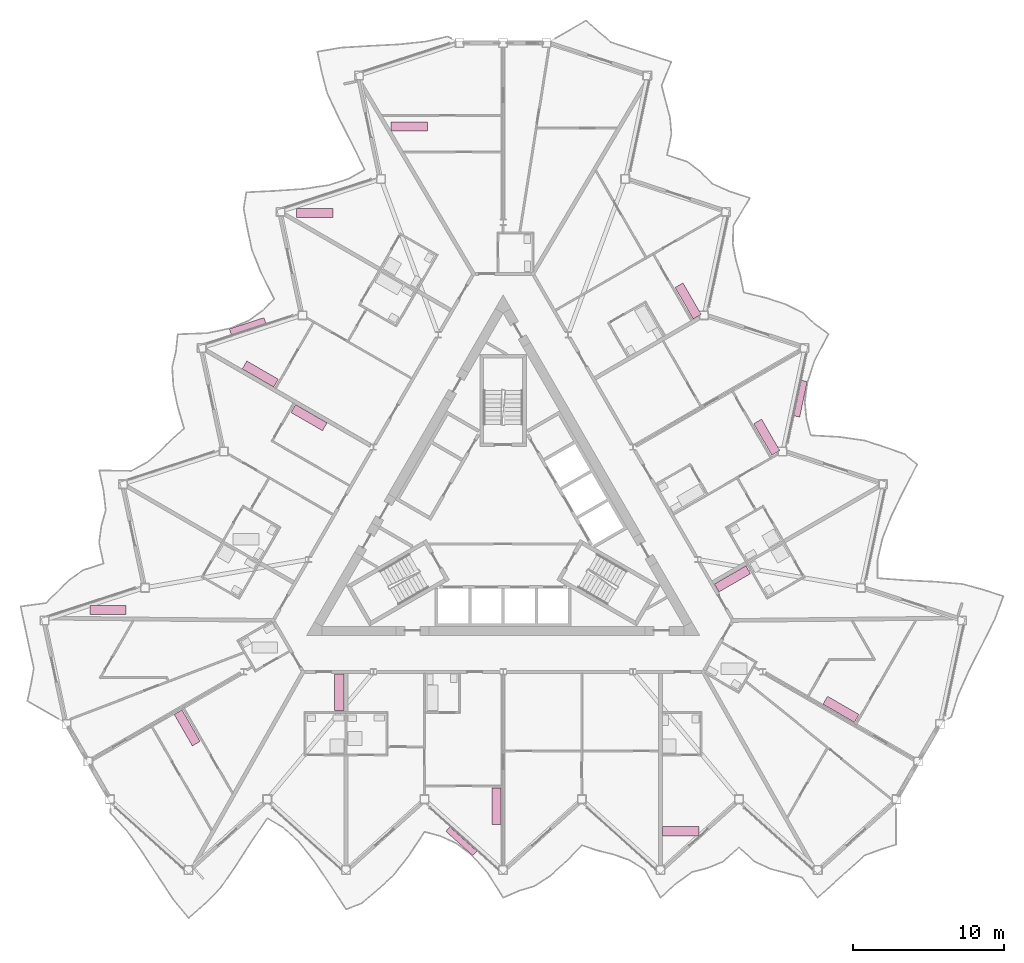
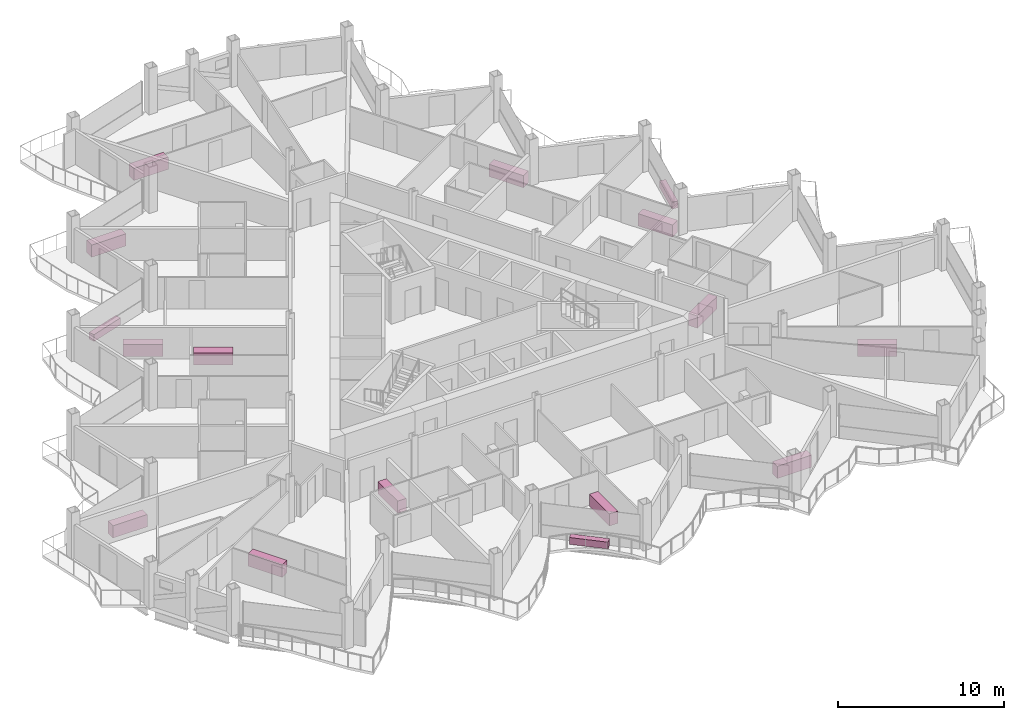
# One storey, part 27 of 27: 16 furniture elements.
"""IFC4 building model written with IfcOpenShell, lengths in metres."""

from ifc_helpers import new_model, si_unit, direction, frame, origin, origin_2d, place, context, subcontext, project, spatial, rectangle, extrude, material, type_object, element, save


model = new_model("IFC4")

# Units and contexts
model_context = context("Model", 3, precision=1e-05, world=origin(), true_north=direction((0.0, 1.0)))
body_context = subcontext(model_context, "Body", "Model", "MODEL_VIEW")
ifc_project = project(units=[si_unit("LENGTHUNIT", "METRE"), si_unit("AREAUNIT", "SQUARE_METRE"), si_unit("VOLUMEUNIT", "CUBIC_METRE"), si_unit("PLANEANGLEUNIT", "RADIAN"), si_unit("MASSUNIT", "GRAM", prefix="KILO")], contexts=[model_context])

# Site, building, storey
site_placement = place(None, origin())
site = spatial("IfcSite", under=ifc_project, at=site_placement, CompositionType="ELEMENT")
building_placement = place(site_placement, origin())
building = spatial("IfcBuilding", under=site, at=building_placement, Name="Cormorant Prow Tower", CompositionType="ELEMENT")
storey_placement = place(building_placement, frame((0.0, 0.0, 335.800048828125)))
storey = spatial("IfcBuildingStorey", under=building, at=storey_placement, Name="L75", CompositionType="ELEMENT", Elevation=335.800048828125)

# Furniture
ifc_material_1 = material(Name="Terracotta", Category="masonry")
furniture_type_1 = type_object("IfcFurnitureType", Name="Balcony planter 2400x400x500", AssemblyPlace="NOTDEFINED", PredefinedType="USERDEFINED", material=ifc_material_1)
for number, where, z_axis, x_axis, name in (
    (1, (-2.765380859375, -21.10302734375, 0.0), (0.0, 0.0, 1.0), (0.743144841442, -0.669130588628, 0.0), "Balcony planter S04"),
    (2, (19.658447265625, 8.156494140625, 0.0), (0.0, 0.0, 1.0), (0.207911729844, 0.978147592438, 0.0), "Balcony planter ENE04"),
    (3, (-16.89306640625, 12.9462890625, 0.0), (0.0, 0.0, 1.0), (-0.951056512137, -0.309017007173, 0.0), "Balcony planter WNW04"),
):
    element("IfcFurniture", number, at=place(storey_placement, frame(where, z_axis=z_axis, x_axis=x_axis)), inside=storey, type_object=furniture_type_1, Name=name, ObjectType="PLANTER", PredefinedType="USERDEFINED", context=body_context, shape_type="SweptSolid", body=[
        extrude(rectangle(XDim=2.39990234375, YDim=0.39990234375, at=origin_2d()), origin(), (0.0, 0.0, 1.0), 0.5),
    ])
ifc_material_2 = material(Name="Timber joinery", Category="wood")
furniture_type_2 = type_object("IfcFurnitureType", Name="Kitchen counter 2400x600", AssemblyPlace="NOTDEFINED", PredefinedType="NOTDEFINED", material=ifc_material_2)
for number, where, z_axis, x_axis, name in (
    (4, (-10.83740234375, -11.25048828125, 0.0), (0.0, 0.0, 1.0), (0.0, -1.0, 0.0), "Kitchen counter"),
    (5, (-0.445068359375, -18.798095703125, 0.0), (0.0, 0.0, 1.0), (0.0, -1.0, 0.0), "Kitchen counter"),
    (6, (11.737548828125, -20.443115234375, 0.0), (0.0, 0.0, 1.0), (1.0, 0.0, 0.0), "Kitchen counter"),
    (7, (22.33349609375, -12.380615234375, 0.0), (0.0, 0.0, 1.0), (-0.866025403784, 0.5, 0.0), "Kitchen counter"),
    (8, (15.162109375, -3.76025390625, 0.0), (0.0, 0.0, 1.0), (0.866025403784, 0.5, 0.0), "Kitchen counter"),
    (9, (17.42578125, 5.61376953125, 0.0), (0.0, 0.0, 1.0), (-0.5, 0.866025403784, 0.0), "Kitchen counter"),
    (10, (12.2294921875, 14.614013671875, 0.0), (0.0, 0.0, 1.0), (-0.5, 0.866025403784, 0.0), "Kitchen counter"),
    (11, (-6.216796875, 26.148193359375, 0.0), (0.0, 0.0, 1.0), (1.0, 0.0, 0.0), "Kitchen counter"),
    (12, (-12.462158203125, 20.432861328125, 0.0), (0.0, 0.0, 1.0), (1.0, 0.0, 0.0), "Kitchen counter"),
    (13, (-16.05712890625, 9.784423828125, 0.0), (0.0, 0.0, 1.0), (-0.866025403784, 0.5, 0.0), "Kitchen counter"),
    (14, (-12.832275390625, 6.89501953125, 0.0), (0.0, 0.0, 1.0), (0.866025403784, -0.5, 0.0), "Kitchen counter"),
    (15, (-26.128662109375, -5.809814453125, 0.0), (0.0, 0.0, 1.0), (1.0, 0.0, 0.0), "Kitchen counter"),
    (16, (-20.889892578125, -13.61376953125, 0.0), (0.0, 0.0, 1.0), (0.5, -0.866025403784, 0.0), "Kitchen counter"),
):
    element("IfcFurniture", number, at=place(storey_placement, frame(where, z_axis=z_axis, x_axis=x_axis)), inside=storey, type_object=furniture_type_2, Name=name, PredefinedType="NOTDEFINED", context=body_context, shape_type="SweptSolid", body=[
        extrude(rectangle(XDim=2.39990234375, YDim=0.60009765625, at=origin_2d()), origin(), (0.0, 0.0, 1.0), 0.89990234375),
    ])

save(model, "model.ifc")
